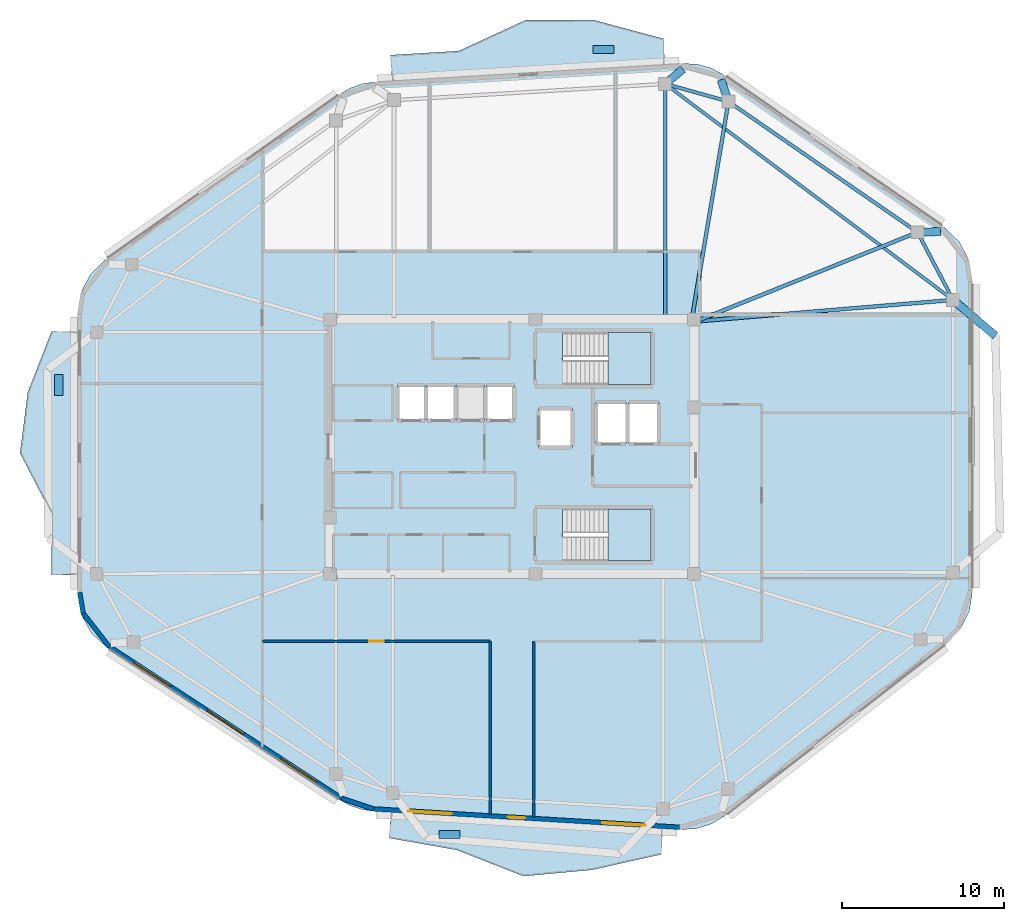
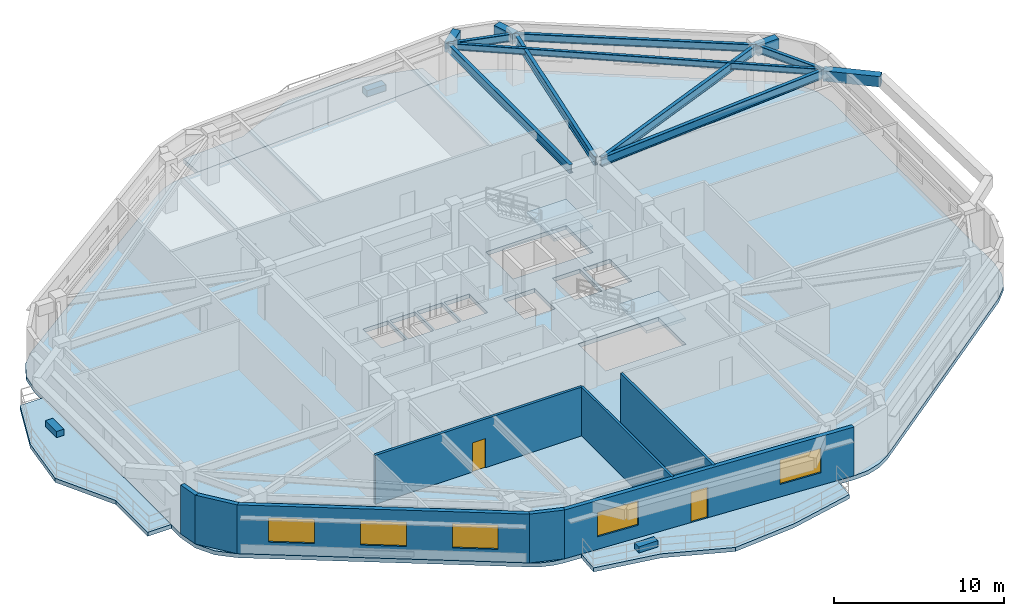
# One storey, part 2 of 10: 12 beams, 8 walls, 6 slabs, 5 windows, 3 plates, 2 doors, 7 openings, 2 elements without a shape of their own.
"""IFC4 building model written with IfcOpenShell, lengths in metres."""

from ifc_helpers import new_model, si_unit, direction, frame, frame_2d, origin, origin_2d, place, context, subcontext, project, spatial, polyline, rectangle, i_section, outline, extrude, material, layer, layer_set, material_profile, profile_set, type_object, element, fill, aggregate, save


model = new_model("IFC4")

# Units and contexts
model_context = context("Model", 3, precision=1e-05, world=origin(), true_north=direction((0.0, 1.0)))
body_context = subcontext(model_context, "Body", "Model", "MODEL_VIEW")
ifc_project = project(units=[si_unit("LENGTHUNIT", "METRE"), si_unit("AREAUNIT", "SQUARE_METRE"), si_unit("VOLUMEUNIT", "CUBIC_METRE"), si_unit("PLANEANGLEUNIT", "RADIAN"), si_unit("MASSUNIT", "GRAM", prefix="KILO")], contexts=[model_context])

# Site, building, storey
site_placement = place(None, origin())
site = spatial("IfcSite", under=ifc_project, at=site_placement, CompositionType="ELEMENT")
building_placement = place(site_placement, origin())
building = spatial("IfcBuilding", under=site, at=building_placement, Name="Zulverin Broadcast Headquarters", CompositionType="ELEMENT")
storey_placement = place(building_placement, frame((0.0, 0.0, 236.39990234375)))
storey = spatial("IfcBuildingStorey", under=building, at=storey_placement, Name="L60", CompositionType="ELEMENT", Elevation=236.39990234375)

# Beams
ifc_material_1 = material(Name="Concrete C40/50", Category="concrete")
ifc_material_profile_1 = material_profile(ifc_material_1, rectangle(XDim=0.5, YDim=0.75, at=origin_2d()), Name="Concrete C40/50", Category="concrete")
ifc_profile_set_1 = profile_set([ifc_material_profile_1], Name="Concrete C40/50")
beam_type_1 = type_object("IfcBeamType", Name="BM-RC-500x750", PredefinedType="BEAM", material=ifc_profile_set_1)
for number, where, z_axis, x_axis, name in (
    (1, (62.102783203125, 38.465087890625, 3.135009765625), (0.99949018153, 0.031927684309, 0.0), (-0.031927684309, 0.99949018153, 0.0), "L61 Plate Overhang Back-Spanned Beam OVR-07"),
    (2, (50.39794921875, 46.554443359375, 3.135009765625), (-0.323542873341, 0.946213511376, 0.0), (-0.946213511376, -0.323542873341, 0.0), "L61 Plate Overhang Back-Spanned Beam OVR-08"),
    (3, (46.4814453125, 47.6484375, 3.135009765625), (0.767058538949, 0.641577117598, 0.0), (-0.641577117598, 0.767058538949, 0.0), "L61 Plate Overhang Back-Spanned Beam OVR-09"),
):
    element("IfcBeam", number, at=place(storey_placement, frame(where, z_axis=z_axis, x_axis=x_axis)), inside=storey, type_object=beam_type_1, Name=name, PredefinedType="BEAM", context=body_context, shape_type="SweptSolid", body=[
        extrude(rectangle(XDim=0.5, YDim=0.75, at=origin_2d()), origin(), (0.0, 0.0, 1.0), 1.429931640625),
    ])
beam_1_placement = place(storey_placement, frame((64.300048828125, 34.275634765625, 3.135009765625), z_axis=(0.763353905541, -0.64598050659, 0.0), x_axis=(0.64598050659, 0.763353905541, 0.0)))
element("IfcBeam", 4, at=beam_1_placement, inside=storey, type_object=beam_type_1, Name="L61 Balcony Column-Framed Cantilever BAL_E-2", PredefinedType="BEAM", context=body_context, shape_type="SweptSolid", body=[
    extrude(rectangle(XDim=0.5, YDim=0.75, at=origin_2d()), origin(), (0.0, 0.0, 1.0), 3.43212890625),
])
ifc_material_2 = material(Name="Structural steel S355JR", Category="steel")
ifc_material_profile_2 = material_profile(ifc_material_2, i_section(OverallWidth=0.19287109375, OverallDepth=0.46728515625, WebThickness=0.011474609375, FlangeThickness=0.01953125, at=origin_2d()), Name="Structural steel S355JR", Category="steel")
ifc_profile_set_2 = profile_set([ifc_material_profile_2], Name="Structural steel S355JR")
beam_type_2 = type_object("IfcBeamType", Name="BM-UB-457", PredefinedType="JOIST", material=ifc_profile_set_2)
beam_2_placement = place(storey_placement, frame((64.300048828125, 34.275634765625, 3.276611328125), z_axis=(-0.799809280949, 0.600254207905, 0.0), x_axis=(-0.600254207905, -0.799809280949, 0.0)))
element("IfcBeam", 5, at=beam_2_placement, inside=storey, type_object=beam_type_2, Name="L60 Chordal Floor Joist J-02", PredefinedType="JOIST", context=body_context, shape_type="SweptSolid", body=[
    extrude(i_section(OverallWidth=0.19287109375, OverallDepth=0.46728515625, WebThickness=0.011474609375, FlangeThickness=0.01953125, at=origin_2d()), origin(), (0.0, 0.0, 1.0), 22.278564453125),
])
ifc_material_profile_3 = material_profile(ifc_material_2, i_section(OverallWidth=0.2119140625, OverallDepth=0.54443359375, WebThickness=0.0126953125, FlangeThickness=0.021240234375, at=origin_2d()), Name="Structural steel S355JR", Category="steel")
ifc_profile_set_3 = profile_set([ifc_material_profile_3], Name="Structural steel S355JR")
beam_type_3 = type_object("IfcBeamType", Name="BM-UB-533", PredefinedType="SPANDREL", material=ifc_profile_set_3)
beam_3_placement = place(storey_placement, frame((64.300048828125, 34.275634765625, 3.23779296875), z_axis=(-0.464469748171, 0.885588986513, 0.0), x_axis=(-0.885588986513, -0.464469748171, 0.0)))
element("IfcBeam", 6, at=beam_3_placement, inside=storey, type_object=beam_type_3, Name="L60 Perimeter Spandrel Beam SP-06", PredefinedType="SPANDREL", context=body_context, shape_type="SweptSolid", body=[
    extrude(i_section(OverallWidth=0.2119140625, OverallDepth=0.54443359375, WebThickness=0.0126953125, FlangeThickness=0.021240234375, at=origin_2d()), origin(), (0.0, 0.0, 1.0), 4.730712890625),
])
beam_4_placement = place(storey_placement, frame((62.102783203125, 38.465087890625, 3.23779296875), z_axis=(-0.822652126292, 0.568545054597, 0.0), x_axis=(-0.568545054597, -0.822652126292, 0.0)))
element("IfcBeam", 7, at=beam_4_placement, inside=storey, type_object=beam_type_3, Name="L60 Perimeter Spandrel Beam SP-07", PredefinedType="SPANDREL", context=body_context, shape_type="SweptSolid", body=[
    extrude(i_section(OverallWidth=0.2119140625, OverallDepth=0.54443359375, WebThickness=0.0126953125, FlangeThickness=0.021240234375, at=origin_2d()), origin(), (0.0, 0.0, 1.0), 14.228271484375),
])
beam_5_placement = place(storey_placement, frame((50.39794921875, 46.554443359375, 3.23779296875), z_axis=(-0.963131566005, 0.26903082828, 0.0), x_axis=(-0.26903082828, -0.963131566005, 0.0)))
element("IfcBeam", 8, at=beam_5_placement, inside=storey, type_object=beam_type_3, Name="L60 Perimeter Spandrel Beam SP-08", PredefinedType="SPANDREL", context=body_context, shape_type="SweptSolid", body=[
    extrude(i_section(OverallWidth=0.2119140625, OverallDepth=0.54443359375, WebThickness=0.0126953125, FlangeThickness=0.021240234375, at=origin_2d()), origin(), (0.0, 0.0, 1.0), 4.06640625),
])
ifc_material_profile_4 = material_profile(ifc_material_2, i_section(OverallWidth=0.230224609375, OverallDepth=0.6171875, WebThickness=0.01318359375, FlangeThickness=0.022216796875, at=origin_2d()), Name="Structural steel S355JR", Category="steel")
ifc_profile_set_4 = profile_set([ifc_material_profile_4], Name="Structural steel S355JR")
beam_type_4 = type_object("IfcBeamType", Name="BM-UB-610", PredefinedType="BEAM", material=ifc_profile_set_4)
beam_6_placement = place(storey_placement, frame((48.375, 32.949951171875, 3.201416015625), z_axis=(0.996553024533, 0.082958238256, 0.0), x_axis=(-0.082958238256, 0.996553024533, 0.0)))
element("IfcBeam", 9, at=beam_6_placement, inside=storey, type_object=beam_type_4, Name="L60 Radial Primary Floor Beam RB-06", PredefinedType="BEAM", context=body_context, shape_type="SweptSolid", body=[
    extrude(i_section(OverallWidth=0.230224609375, OverallDepth=0.6171875, WebThickness=0.01318359375, FlangeThickness=0.022216796875, at=origin_2d()), origin(), (0.0, 0.0, 1.0), 15.980224609375),
])
beam_7_placement = place(storey_placement, frame((48.375, 32.949951171875, 3.201416015625), z_axis=(0.927915690744, 0.37279011638, 0.0), x_axis=(-0.37279011638, 0.927915690744, 0.0)))
element("IfcBeam", 10, at=beam_7_placement, inside=storey, type_object=beam_type_4, Name="L60 Radial Primary Floor Beam RB-07", PredefinedType="BEAM", context=body_context, shape_type="SweptSolid", body=[
    extrude(i_section(OverallWidth=0.230224609375, OverallDepth=0.6171875, WebThickness=0.01318359375, FlangeThickness=0.022216796875, at=origin_2d()), origin(), (0.0, 0.0, 1.0), 14.794189453125),
])
beam_8_placement = place(storey_placement, frame((48.14990234375, 33.175048828125, 3.201416015625), z_axis=(0.165700339104, 0.986176149388, 0.0), x_axis=(-0.986176149388, 0.165700339104, 0.0)))
element("IfcBeam", 11, at=beam_8_placement, inside=storey, type_object=beam_type_4, Name="L60 Radial Primary Floor Beam RB-08", PredefinedType="BEAM", context=body_context, shape_type="SweptSolid", body=[
    extrude(i_section(OverallWidth=0.230224609375, OverallDepth=0.6171875, WebThickness=0.01318359375, FlangeThickness=0.022216796875, at=origin_2d()), origin(), (0.0, 0.0, 1.0), 13.56689453125),
])
beam_9_placement = place(storey_placement, frame((46.4814453125, 33.175048828125, 3.201416015625), z_axis=(0.0, 1.0, 0.0), x_axis=(-1.0, 0.0, 0.0)))
element("IfcBeam", 12, at=beam_9_placement, inside=storey, type_object=beam_type_4, Name="L60 Radial Primary Floor Beam RB-09", PredefinedType="BEAM", context=body_context, shape_type="SweptSolid", body=[
    extrude(i_section(OverallWidth=0.230224609375, OverallDepth=0.6171875, WebThickness=0.01318359375, FlangeThickness=0.022216796875, at=origin_2d()), origin(), (0.0, 0.0, 1.0), 14.473388671875),
])

# Plates
ifc_material_3 = material(Name="Precast concrete C45/55", Category="concrete")
ifc_layer_1 = layer(ifc_material_3, 0.449951171875, Name="Precast concrete C45/55", Category="concrete")
ifc_layer_set_1 = layer_set([ifc_layer_1], Name="Precast concrete C45/55")
plate_type = type_object("IfcPlateType", Name="PT-01_PRECAST_GFRC_TREE_PLANTER", PredefinedType="USERDEFINED", material=ifc_layer_set_1)
for number, where, z_axis, x_axis, name in (
    (13, (42.6767578125, 49.7744140625, -0.0048828125), (0.0, 0.0, 1.0), (1.0, 0.0, 0.0), "L60 Precast GFRC Tree Planter BAL_N"),
    (14, (8.949951171875, 29.0126953125, -0.0048828125), (0.0, 0.0, 1.0), (0.0, 1.0, 0.0), "L60 Precast GFRC Tree Planter BAL_W"),
    (15, (33.1337890625, 1.19873046875, -0.0048828125), (0.0, 0.0, 1.0), (1.0, 0.0, 0.0), "L60 Precast GFRC Tree Planter BAL_S"),
):
    element("IfcPlate", number, at=place(storey_placement, frame(where, z_axis=z_axis, x_axis=x_axis)), inside=storey, type_object=plate_type, Name=name, ObjectType="PLANTER", PredefinedType="USERDEFINED", context=body_context, shape_type="SweptSolid", body=[
        extrude(rectangle(XDim=1.300048828125, YDim=0.5, at=origin_2d()), origin(), (0.0, 0.0, 1.0), 0.449951171875),
    ])

# Slabs
ifc_layer_2 = layer(ifc_material_1, 0.2900390625, Name="Concrete C40/50", Category="concrete")
ifc_layer_set_2 = layer_set([ifc_layer_2], Name="Concrete C40/50")
slab_type_1 = type_object("IfcSlabType", Name="SLB-BAL-290", PredefinedType="FLOOR", material=ifc_layer_set_2)
slab_1_placement = place(storey_placement, frame((0.0, 0.0, -0.289794921875)))
element("IfcSlab", 16, at=slab_1_placement, inside=storey, type_object=slab_type_1, Name="L60 Cantilevered Planted Balcony Slab BAL_N", PredefinedType="FLOOR", context=body_context, shape_type="SweptSolid", body=[
    extrude(outline(polyline([(29.5791015625, 47.835693359375), (46.45947265625, 48.849365234375), (46.363525390625, 50.4462890625), (42.05859375, 51.602783203125), (37.824462890625, 51.58740234375), (33.703125, 49.686279296875), (29.483154296875, 49.43310546875), (29.5791015625, 47.835693359375)])), origin(), (0.0, 0.0, 1.0), 0.289794921875),
])
slab_2_placement = place(storey_placement, frame((0.0, 0.0, -0.289794921875)))
element("IfcSlab", 17, at=slab_2_placement, inside=storey, type_object=slab_type_1, Name="L60 Cantilevered Planted Balcony Slab BAL_W", PredefinedType="FLOOR", context=body_context, shape_type="SweptSolid", body=[
    extrude(outline(polyline([(10.10009765625, 17.2685546875), (10.10009765625, 32.3251953125), (8.5, 32.3251953125), (7.031005859375, 28.56103515625), (6.550048828125, 24.797119140625), (8.5, 21.03271484375), (8.5, 17.2685546875), (10.10009765625, 17.2685546875)])), origin(), (0.0, 0.0, 1.0), 0.289794921875),
])
slab_3_placement = place(storey_placement, frame((0.0, 0.0, -0.289794921875)))
element("IfcSlab", 18, at=slab_3_placement, inside=storey, type_object=slab_type_1, Name="L60 Cantilevered Planted Balcony Slab BAL_S", PredefinedType="FLOOR", context=body_context, shape_type="SweptSolid", body=[
    extrude(outline(polyline([(46.32958984375, 1.55859375), (29.500244140625, 2.56884765625), (29.404296875, 0.9716796875), (33.58251953125, 0.23193359375), (37.707763671875, -1.388671875), (41.95361328125, -0.997802734375), (46.233642578125, -0.03857421875), (46.32958984375, 1.55859375)])), origin(), (0.0, 0.0, 1.0), 0.289794921875),
])

# Stair, slab
stair_type = type_object("IfcStairType", Name="ST-CORE-1500", PredefinedType="HALF_TURN_STAIR", material=ifc_material_1)
stair_1_placement = place(storey_placement, origin())
stair_1 = element("IfcStair", 19, at=stair_1_placement, inside=storey, type_object=stair_type, Name="L60 Core Exit Stair ST-1", PredefinedType="HALF_TURN_STAIR")
ifc_layer_3 = layer(ifc_material_1, 0.199951171875, Name="Concrete C40/50", Category="concrete")
ifc_layer_set_3 = layer_set([ifc_layer_3], Name="Concrete C40/50")
slab_type_2 = type_object("IfcSlabType", Name="SLB-ST-LND200", PredefinedType="LANDING", material=ifc_layer_set_3)
slab_4_placement = place(storey_placement, frame((0.0, 0.0, 1.7001953125)))
slab_4 = element("IfcSlab", 20, at=slab_4_placement, type_object=slab_type_2, Name="ST-1 landing 1", PredefinedType="LANDING", context=body_context, shape_type="SweptSolid", body=[
    extrude(outline(polyline([(42.929931640625, 29.050048828125), (45.60009765625, 29.050048828125), (45.60009765625, 32.25), (42.929931640625, 32.25), (42.929931640625, 29.050048828125)])), origin(), (0.0, 0.0, 1.0), 0.199951171875),
])
aggregate(stair_1, [slab_4])

stair_2_placement = place(storey_placement, origin())
stair_2 = element("IfcStair", 21, at=stair_2_placement, inside=storey, type_object=stair_type, Name="L60 Core Exit Stair ST-2", PredefinedType="HALF_TURN_STAIR")
slab_5_placement = place(storey_placement, frame((0.0, 0.0, 1.7001953125)))
slab_5 = element("IfcSlab", 22, at=slab_5_placement, type_object=slab_type_2, Name="ST-2 landing 1", PredefinedType="LANDING", context=body_context, shape_type="SweptSolid", body=[
    extrude(outline(polyline([(42.929931640625, 18.14990234375), (45.60009765625, 18.14990234375), (45.60009765625, 21.35009765625), (42.929931640625, 21.35009765625), (42.929931640625, 18.14990234375)])), origin(), (0.0, 0.0, 1.0), 0.199951171875),
])
aggregate(stair_2, [slab_5])

# Slab
ifc_layer_4 = layer(ifc_material_1, 0.2900390625, Name="Concrete C40/50", Category="concrete")
ifc_layer_set_4 = layer_set([ifc_layer_4], Name="Concrete C40/50")
slab_type_3 = type_object("IfcSlabType", Name="SLB-TWR-290", PredefinedType="FLOOR", material=ifc_layer_set_4)
slab_6_placement = place(storey_placement, frame((0.0, 0.0, -0.289794921875)))
element("IfcSlab", 23, at=slab_6_placement, inside=storey, type_object=slab_type_3, Name="L60 Main Structural Floor Slab", PredefinedType="FLOOR", context=body_context, shape_type="SweptSolid", body=[
    extrude(outline(polyline([(26.405029296875, 3.295166015625), (27.029296875, 2.96044921875), (27.70166015625, 2.738037109375), (28.402099609375, 2.634765625), (47.427490234375, 1.49267578125), (48.40869140625, 1.5517578125), (49.347412109375, 1.842529296875), (50.18994140625, 2.348388671875), (63.91650390625, 13.02099609375), (64.7685546875, 13.92041015625), (65.312744140625, 15.033203125), (65.5, 16.2578125), (65.5, 35.42578125), (65.289306640625, 36.723388671875), (64.6787109375, 37.887451171875), (63.73095703125, 38.798583984375), (50.13427734375, 48.1953125), (49.3359375, 48.625244140625), (48.462890625, 48.869140625), (47.557373046875, 48.915283203125), (28.48095703125, 47.77001953125), (27.73291015625, 47.655029296875), (27.0185546875, 47.404541015625), (26.362548828125, 47.027099609375), (11.8359375, 36.775146484375), (10.9052734375, 35.865478515625), (10.306396484375, 34.710205078125), (10.10009765625, 33.42529296875), (10.10009765625, 16.168701171875), (10.322021484375, 14.83740234375), (10.96435546875, 13.650390625), (11.957275390625, 12.736328125), (26.405029296875, 3.295166015625)]), holes=[polyline([(40.155029296875, 30.75), (40.130126953125, 30.75), (40.130126953125, 32.25), (45.60009765625, 32.25), (45.60009765625, 29.050048828125), (40.155029296875, 29.050048828125), (40.155029296875, 30.75)]), polyline([(40.155029296875, 19.85009765625), (40.130126953125, 19.85009765625), (40.130126953125, 21.35009765625), (45.60009765625, 21.35009765625), (45.60009765625, 18.14990234375), (40.155029296875, 18.14990234375), (40.155029296875, 19.85009765625)]), polyline([(29.89990234375, 26.800048828125), (31.6201171875, 26.800048828125), (31.6201171875, 29.0), (29.89990234375, 29.0), (29.89990234375, 26.800048828125)]), polyline([(31.739990234375, 26.800048828125), (33.4599609375, 26.800048828125), (33.4599609375, 29.0), (31.739990234375, 29.0), (31.739990234375, 26.800048828125)]), polyline([(33.580078125, 26.800048828125), (35.300048828125, 26.800048828125), (35.300048828125, 29.0), (33.580078125, 29.0), (33.580078125, 26.800048828125)]), polyline([(35.419921875, 26.800048828125), (37.139892578125, 26.800048828125), (37.139892578125, 29.0), (35.419921875, 29.0), (35.419921875, 26.800048828125)]), polyline([(42.199951171875, 25.35009765625), (44.050048828125, 25.35009765625), (44.050048828125, 27.949951171875), (42.199951171875, 27.949951171875), (42.199951171875, 25.35009765625)]), polyline([(44.25, 25.35009765625), (46.10009765625, 25.35009765625), (46.10009765625, 27.949951171875), (44.25, 27.949951171875), (44.25, 25.35009765625)]), polyline([(38.64990234375, 25.14990234375), (40.75, 25.14990234375), (40.75, 27.550048828125), (38.64990234375, 27.550048828125), (38.64990234375, 25.14990234375)])]), origin(), (0.0, 0.0, 1.0), 0.289794921875),
])

# Wall, openings, door, windows
ifc_material_4 = material(Name="Insulated pale-metal clad concrete spandrel C40/50", Category="concrete")
ifc_layer_5 = layer(ifc_material_4, 0.280029296875, Name="Insulated pale-metal clad concrete spandrel C40/50", Category="concrete")
ifc_layer_set_5 = layer_set([ifc_layer_5], Name="Insulated pale-metal clad concrete spandrel C40/50")
wall_type_1 = type_object("IfcWallType", Name="WL-EXT-280", PredefinedType="STANDARD", material=ifc_layer_set_5)
wall_1_placement = place(storey_placement, frame((28.41064453125, 2.7744140625, 0.0), z_axis=(0.0, 0.0, 1.0), x_axis=(0.998203068368, -0.059921901676, 0.0)))
wall_1 = element("IfcWall", 24, at=wall_1_placement, inside=storey, type_object=wall_type_1, Name="L60 Pale-Metal Clad Spandrel Wall 1", PredefinedType="STANDARD", context=body_context, shape_type="SweptSolid", body=[
    extrude(rectangle(XDim=19.0595703125, YDim=0.280029296875, at=frame_2d((9.52978515625, 0.0))), origin(), (0.0, 0.0, 1.0), 3.510009765625),
])
opening_1_placement = place(wall_1_placement, frame((8.329833984375, 0.0, 0.0)))
opening_1 = element("IfcOpeningElement", 25, at=opening_1_placement, cuts=wall_1, Name="Opening D-L60-TR1", PredefinedType="OPENING", context=body_context, shape_type="SweptSolid", body=[
    extrude(rectangle(XDim=1.10009765625, YDim=2.199951171875, at=frame_2d((0.550048828125, 1.10009765625))), frame((0.0, 0.14990234375, 0.0), z_axis=(0.0, -1.0, 0.0), x_axis=(1.0, 0.0, 0.0)), (0.0, 0.0, 1.0), 0.300048828125),
])
opening_2_placement = place(wall_1_placement, frame((2.159912109375, 0.0, 0.89990234375)))
opening_2 = element("IfcOpeningElement", 26, at=opening_2_placement, cuts=wall_1, Name="Opening W-L60-E11", PredefinedType="OPENING", context=body_context, shape_type="SweptSolid", body=[
    extrude(rectangle(XDim=2.699951171875, YDim=1.75, at=frame_2d((1.35009765625, 0.875))), frame((0.0, 0.14990234375, 0.0), z_axis=(0.0, -1.0, 0.0), x_axis=(1.0, 0.0, 0.0)), (0.0, 0.0, 1.0), 0.300048828125),
])
opening_3_placement = place(wall_1_placement, frame((14.19970703125, 0.0, 0.89990234375)))
opening_3 = element("IfcOpeningElement", 27, at=opening_3_placement, cuts=wall_1, Name="Opening W-L60-E12", PredefinedType="OPENING", context=body_context, shape_type="SweptSolid", body=[
    extrude(rectangle(XDim=2.699951171875, YDim=1.75, at=frame_2d((1.35009765625, 0.875))), frame((0.0, 0.14990234375, 0.0), z_axis=(0.0, -1.0, 0.0), x_axis=(1.0, 0.0, 0.0)), (0.0, 0.0, 1.0), 0.300048828125),
])
ifc_material_5 = material(Name="Thermally broken aluminium glazed", Category="aluminium")
door_type_1 = type_object("IfcDoorType", Name="DR-TERR-1100", OperationType="SINGLE_SWING_RIGHT", PredefinedType="DOOR", material=ifc_material_5)
door_1_placement = place(opening_1_placement, origin())
door_1 = element("IfcDoor", 28, at=door_1_placement, inside=storey, type_object=door_type_1, Name="L60 Planted Terrace Glazed Access Door 1", OperationType="SINGLE_SWING_RIGHT", OverallHeight=2.199951171875, OverallWidth=1.10009765625, PredefinedType="DOOR", context=body_context, shape_type="SweptSolid", body=[
    extrude(rectangle(XDim=1.10009765625, YDim=2.199951171875, at=frame_2d((0.550048828125, 1.10009765625))), frame((0.0, 0.02490234375, 0.0), z_axis=(0.0, -1.0, 0.0), x_axis=(1.0, 0.0, 0.0)), (0.0, 0.0, 1.0), 0.050048828125),
])
fill(opening_1, door_1)
ifc_material_6 = material(Name="Pale anodized aluminium frame with solar-control low-E double glazing", Category="aluminium")
window_type = type_object("IfcWindowType", Name="WIN-TWR-2700", PartitioningType="SINGLE_PANEL", PredefinedType="WINDOW", material=ifc_material_6)
window_1_placement = place(opening_2_placement, origin())
window_1 = element("IfcWindow", 29, at=window_1_placement, inside=storey, type_object=window_type, Name="L60 Ribbon Glazing Window 1 1", OverallHeight=1.75, OverallWidth=2.699951171875, PartitioningType="SINGLE_PANEL", PredefinedType="WINDOW", context=body_context, shape_type="SweptSolid", body=[
    extrude(rectangle(XDim=2.699951171875, YDim=1.75, at=frame_2d((1.35009765625, 0.875))), frame((0.0, 0.030029296875, 0.0), z_axis=(0.0, -1.0, 0.0), x_axis=(1.0, 0.0, 0.0)), (0.0, 0.0, 1.0), 0.06005859375),
])
fill(opening_2, window_1)
window_2_placement = place(opening_3_placement, origin())
window_2 = element("IfcWindow", 30, at=window_2_placement, inside=storey, type_object=window_type, Name="L60 Ribbon Glazing Window 1 2", OverallHeight=1.75, OverallWidth=2.699951171875, PartitioningType="SINGLE_PANEL", PredefinedType="WINDOW", context=body_context, shape_type="SweptSolid", body=[
    extrude(rectangle(XDim=2.699951171875, YDim=1.75, at=frame_2d((1.35009765625, 0.875))), frame((0.0, 0.030029296875, 0.0), z_axis=(0.0, -1.0, 0.0), x_axis=(1.0, 0.0, 0.0)), (0.0, 0.0, 1.0), 0.06005859375),
])
fill(opening_3, window_2)

# Wall, openings, windows
wall_2_placement = place(storey_placement, frame((12.03369140625, 12.853515625, 0.0), z_axis=(0.0, 0.0, 1.0), x_axis=(0.837118352984, -0.547021812269, 0.0)))
wall_2 = element("IfcWall", 31, at=wall_2_placement, inside=storey, type_object=wall_type_1, Name="L60 Pale-Metal Clad Spandrel Wall 8", PredefinedType="STANDARD", context=body_context, shape_type="SweptSolid", body=[
    extrude(rectangle(XDim=17.25927734375, YDim=0.280029296875, at=frame_2d((8.629638671875, 0.0))), origin(), (0.0, 0.0, 1.0), 3.510009765625),
])
opening_4_placement = place(wall_2_placement, frame((1.85986328125, 0.0, 0.89990234375)))
opening_4 = element("IfcOpeningElement", 32, at=opening_4_placement, cuts=wall_2, Name="Opening W-L60-E81", PredefinedType="OPENING", context=body_context, shape_type="SweptSolid", body=[
    extrude(rectangle(XDim=2.699951171875, YDim=1.75, at=frame_2d((1.35009765625, 0.875))), frame((0.0, 0.14990234375, 0.0), z_axis=(0.0, -1.0, 0.0), x_axis=(1.0, 0.0, 0.0)), (0.0, 0.0, 1.0), 0.300048828125),
])
opening_5_placement = place(wall_2_placement, frame((7.279541015625, 0.0, 0.89990234375)))
opening_5 = element("IfcOpeningElement", 33, at=opening_5_placement, cuts=wall_2, Name="Opening W-L60-E82", PredefinedType="OPENING", context=body_context, shape_type="SweptSolid", body=[
    extrude(rectangle(XDim=2.699951171875, YDim=1.75, at=frame_2d((1.35009765625, 0.875))), frame((0.0, 0.14990234375, 0.0), z_axis=(0.0, -1.0, 0.0), x_axis=(1.0, 0.0, 0.0)), (0.0, 0.0, 1.0), 0.300048828125),
])
opening_6_placement = place(wall_2_placement, frame((12.69921875, 0.0, 0.89990234375)))
opening_6 = element("IfcOpeningElement", 34, at=opening_6_placement, cuts=wall_2, Name="Opening W-L60-E83", PredefinedType="OPENING", context=body_context, shape_type="SweptSolid", body=[
    extrude(rectangle(XDim=2.699951171875, YDim=1.75, at=frame_2d((1.35009765625, 0.875))), frame((0.0, 0.14990234375, 0.0), z_axis=(0.0, -1.0, 0.0), x_axis=(1.0, 0.0, 0.0)), (0.0, 0.0, 1.0), 0.300048828125),
])
window_3_placement = place(opening_4_placement, origin())
window_3 = element("IfcWindow", 35, at=window_3_placement, inside=storey, type_object=window_type, Name="L60 Ribbon Glazing Window 8 1", OverallHeight=1.75, OverallWidth=2.699951171875, PartitioningType="SINGLE_PANEL", PredefinedType="WINDOW", context=body_context, shape_type="SweptSolid", body=[
    extrude(rectangle(XDim=2.699951171875, YDim=1.75, at=frame_2d((1.35009765625, 0.875))), frame((0.0, 0.030029296875, 0.0), z_axis=(0.0, -1.0, 0.0), x_axis=(1.0, 0.0, 0.0)), (0.0, 0.0, 1.0), 0.06005859375),
])
fill(opening_4, window_3)
window_4_placement = place(opening_5_placement, origin())
window_4 = element("IfcWindow", 36, at=window_4_placement, inside=storey, type_object=window_type, Name="L60 Ribbon Glazing Window 8 2", OverallHeight=1.75, OverallWidth=2.699951171875, PartitioningType="SINGLE_PANEL", PredefinedType="WINDOW", context=body_context, shape_type="SweptSolid", body=[
    extrude(rectangle(XDim=2.699951171875, YDim=1.75, at=frame_2d((1.35009765625, 0.875))), frame((0.0, 0.030029296875, 0.0), z_axis=(0.0, -1.0, 0.0), x_axis=(1.0, 0.0, 0.0)), (0.0, 0.0, 1.0), 0.06005859375),
])
fill(opening_5, window_4)
window_5_placement = place(opening_6_placement, origin())
window_5 = element("IfcWindow", 37, at=window_5_placement, inside=storey, type_object=window_type, Name="L60 Ribbon Glazing Window 8 3", OverallHeight=1.75, OverallWidth=2.699951171875, PartitioningType="SINGLE_PANEL", PredefinedType="WINDOW", context=body_context, shape_type="SweptSolid", body=[
    extrude(rectangle(XDim=2.699951171875, YDim=1.75, at=frame_2d((1.35009765625, 0.875))), frame((0.0, 0.030029296875, 0.0), z_axis=(0.0, -1.0, 0.0), x_axis=(1.0, 0.0, 0.0)), (0.0, 0.0, 1.0), 0.06005859375),
])
fill(opening_6, window_5)

# Walls
wall_3_placement = place(storey_placement, frame((10.238037109375, 16.191650390625, 0.0), z_axis=(0.0, 0.0, 1.0), x_axis=(0.164604311367, -0.986359681191, 0.0)))
element("IfcWall", 38, at=wall_3_placement, inside=storey, type_object=wall_type_1, Name="L60 Wind-Shaped Corner Spandrel Wall 7-1", PredefinedType="STANDARD", context=body_context, shape_type="SweptSolid", body=[
    extrude(rectangle(XDim=1.349609375, YDim=0.280029296875, at=frame_2d((0.6748046875, 0.0))), origin(), (0.0, 0.0, 1.0), 3.510009765625),
])
wall_4_placement = place(storey_placement, frame((10.4326171875, 14.92333984375, 0.0), z_axis=(0.0, 0.0, 1.0), x_axis=(0.614181852676, -0.78916452774, 0.0)))
element("IfcWall", 39, at=wall_4_placement, inside=storey, type_object=wall_type_1, Name="L60 Wind-Shaped Corner Spandrel Wall 7-2", PredefinedType="STANDARD", context=body_context, shape_type="SweptSolid", body=[
    extrude(rectangle(XDim=2.662109375, YDim=0.280029296875, at=frame_2d((1.3310546875, 0.0))), origin(), (0.0, 0.0, 1.0), 3.510009765625),
])
wall_5_placement = place(storey_placement, frame((26.44921875, 3.427978515625, 0.0), z_axis=(0.0, 0.0, 1.0), x_axis=(0.949435039229, -0.313963542923, 0.0)))
element("IfcWall", 40, at=wall_5_placement, inside=storey, type_object=wall_type_1, Name="L60 Wind-Shaped Corner Spandrel Wall 8-1", PredefinedType="STANDARD", context=body_context, shape_type="SweptSolid", body=[
    extrude(rectangle(XDim=2.103515625, YDim=0.280029296875, at=frame_2d((1.0517578125, 0.0))), origin(), (0.0, 0.0, 1.0), 3.510009765625),
])
ifc_material_7 = material(Name="Fire-rated gypsum stud partition", Category="gypsum")
ifc_layer_6 = layer(ifc_material_7, 0.14990234375, Name="Fire-rated gypsum stud partition", Category="gypsum")
ifc_layer_set_6 = layer_set([ifc_layer_6], Name="Fire-rated gypsum stud partition")
wall_type_2 = type_object("IfcWallType", Name="WL-PART-150", PredefinedType="PARTITIONING", material=ifc_layer_set_6)
wall_6_placement = place(storey_placement, frame((35.64990234375, 2.40478515625, 0.0), z_axis=(0.0, 0.0, 1.0), x_axis=(0.0, 1.0, 0.0)))
element("IfcWall", 41, at=wall_6_placement, inside=storey, type_object=wall_type_2, Name="L60 Gallery Partition Wall CG-05", PredefinedType="PARTITIONING", context=body_context, shape_type="SweptSolid", body=[
    extrude(rectangle(XDim=10.7451171875, YDim=0.14990234375, at=frame_2d((5.37255859375, 0.0))), origin(), (0.0, 0.0, 1.0), 3.510009765625),
])
ifc_material_8 = material(Name="Fire-rated acoustic stud wall", Category="gypsum")
ifc_layer_7 = layer(ifc_material_8, 0.175048828125, Name="Fire-rated acoustic stud wall", Category="gypsum")
ifc_layer_set_7 = layer_set([ifc_layer_7], Name="Fire-rated acoustic stud wall")
wall_type_3 = type_object("IfcWallType", Name="WL-PART-175", PredefinedType="PARTITIONING", material=ifc_layer_set_7)
wall_7_placement = place(storey_placement, frame((38.35009765625, 2.24267578125, 0.0), z_axis=(0.0, 0.0, 1.0), x_axis=(0.0, 1.0, 0.0)))
element("IfcWall", 42, at=wall_7_placement, inside=storey, type_object=wall_type_3, Name="L60 Gallery Partition Wall CG-04", PredefinedType="PARTITIONING", context=body_context, shape_type="SweptSolid", body=[
    extrude(rectangle(XDim=10.9072265625, YDim=0.175048828125, at=frame_2d((5.45361328125, 0.0))), origin(), (0.0, 0.0, 1.0), 3.510009765625),
])

# Wall, opening, door
wall_8_placement = place(storey_placement, frame((21.550048828125, 13.14990234375, 0.0), z_axis=(0.0, 0.0, 1.0), x_axis=(1.0, 0.0, 0.0)))
wall_8 = element("IfcWall", 43, at=wall_8_placement, inside=storey, type_object=wall_type_3, Name="L60 Gallery Partition Wall CG-08", PredefinedType="PARTITIONING", context=body_context, shape_type="SweptSolid", body=[
    extrude(rectangle(XDim=14.099853515625, YDim=0.175048828125, at=frame_2d((7.0498046875, 0.0))), origin(), (0.0, 0.0, 1.0), 3.510009765625),
])
opening_7_placement = place(wall_8_placement, frame((6.60009765625, 0.0, 0.0)))
opening_7 = element("IfcOpeningElement", 44, at=opening_7_placement, cuts=wall_8, Name="Opening D-L60-04", PredefinedType="OPENING", context=body_context, shape_type="SweptSolid", body=[
    extrude(rectangle(XDim=0.89990234375, YDim=2.10009765625, at=frame_2d((0.449951171875, 1.050048828125))), frame((0.0, 0.097412109375, 0.0), z_axis=(0.0, -1.0, 0.0), x_axis=(1.0, 0.0, 0.0)), (0.0, 0.0, 1.0), 0.195068359375),
])
ifc_material_9 = material(Name="Fire-rated hardwood veneer timber leaf", Category="wood")
door_type_2 = type_object("IfcDoorType", Name="DR-ROOM-900", OperationType="SINGLE_SWING_RIGHT", PredefinedType="DOOR", material=ifc_material_9)
door_2_placement = place(opening_7_placement, origin())
door_2 = element("IfcDoor", 45, at=door_2_placement, inside=storey, type_object=door_type_2, Name="L60 Conference Room Door", OperationType="SINGLE_SWING_RIGHT", OverallHeight=2.10009765625, OverallWidth=0.89990234375, PredefinedType="DOOR", context=body_context, shape_type="SweptSolid", body=[
    extrude(rectangle(XDim=0.89990234375, YDim=2.10009765625, at=frame_2d((0.449951171875, 1.050048828125))), frame((0.0, 0.02490234375, 0.0), z_axis=(0.0, -1.0, 0.0), x_axis=(1.0, 0.0, 0.0)), (0.0, 0.0, 1.0), 0.050048828125),
])
fill(opening_7, door_2)

save(model, "model.ifc")
